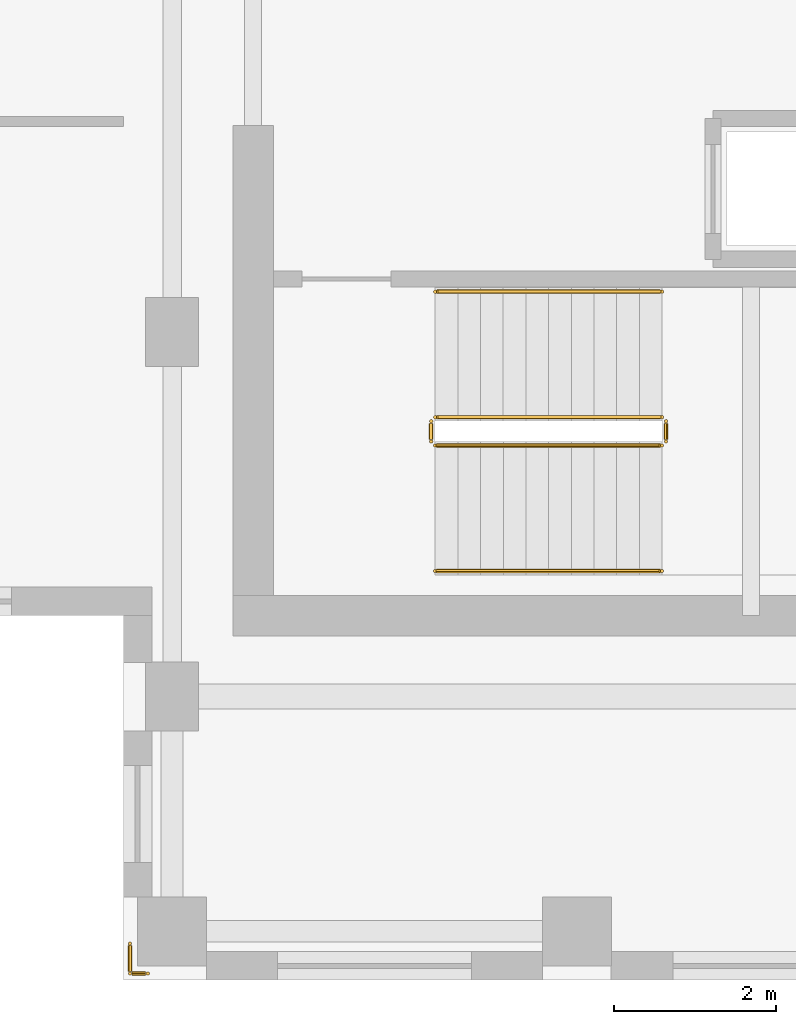
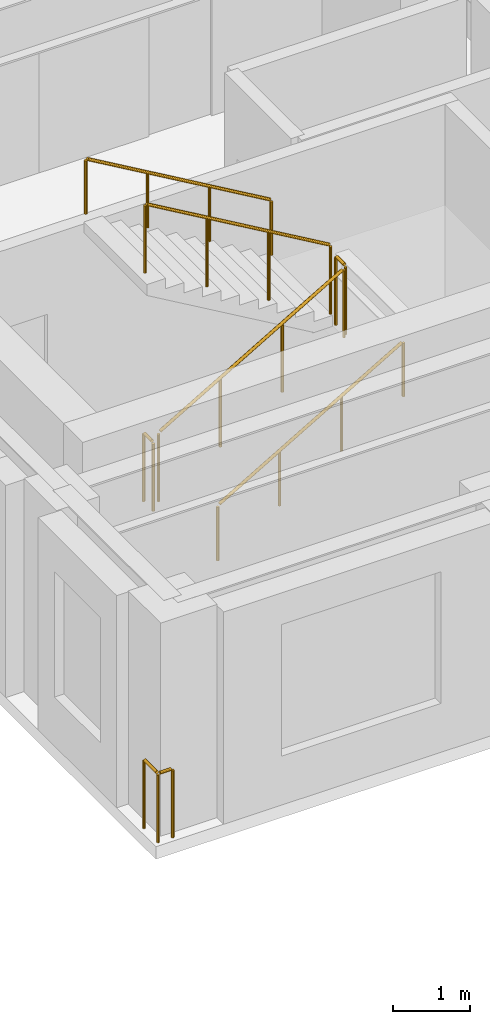
# One storey, part 10 of 10: 7 railings.
"""IFC4 building model written with IfcOpenShell, lengths in metres."""

from ifc_helpers import new_model, si_unit, direction, frame, origin, origin_2d, place, context, subcontext, project, spatial, circle, extrude, source, transform, mapped, material, layer, layer_set, type_object, element, save


model = new_model("IFC4")

# Units and contexts
model_context = context("Model", 3, precision=1e-05, world=origin(), true_north=direction((0.0, 1.0)))
body_context = subcontext(model_context, "Body", "Model", "MODEL_VIEW")
ifc_project = project(units=[si_unit("LENGTHUNIT", "METRE"), si_unit("AREAUNIT", "SQUARE_METRE"), si_unit("VOLUMEUNIT", "CUBIC_METRE"), si_unit("PLANEANGLEUNIT", "RADIAN"), si_unit("MASSUNIT", "GRAM", prefix="KILO")], contexts=[model_context])

# Site, building, storey
site_placement = place(None, origin())
site = spatial("IfcSite", under=ifc_project, at=site_placement, CompositionType="ELEMENT")
building_placement = place(site_placement, origin())
building = spatial("IfcBuilding", under=site, at=building_placement, Name="Kharzan Plaza Tower", CompositionType="ELEMENT")
storey_placement = place(building_placement, frame((0.0, 0.0, 216.0)))
storey = spatial("IfcBuildingStorey", under=building, at=storey_placement, Name="L58", CompositionType="ELEMENT", Elevation=216.0)

# Railings
ifc_material_1 = material(Name="Painted Galvanized Architectural Steel", Category="steel")
ifc_layer_1 = layer(ifc_material_1, 0.074951171875)
ifc_layer_set_1 = layer_set([ifc_layer_1], Name="Painted Galvanized Architectural Steel")
railing_type_1 = type_object("IfcRailingType", Name="RL-GUARD-1120", PredefinedType="BALUSTRADE", material=ifc_layer_set_1)
shared_shape_1 = source(origin(), body_context, "Body", "SweptSolid", [
    extrude(circle(Radius=0.02392578125, at=origin_2d()), frame((0.0, 0.0263671875, 1.09619140625), z_axis=(0.0, 1.0, 0.0), x_axis=(-1.0, 0.0, 0.0)), (0.0, 0.0, 1.0), 0.197021484375),
    extrude(circle(Radius=0.02099609375, at=origin_2d()), origin(), (0.0, 0.0, 1.0), 1.072021484375),
    extrude(circle(Radius=0.02099609375, at=origin_2d()), frame((0.0, 0.25, 0.0)), (0.0, 0.0, 1.0), 1.072021484375),
])
for number, where, name in (
    (1, (41.10009765625, 6.64990234375, 1.800048828125), "L58 ST-3 stair guard 2"),
    (2, (38.199951171875, 6.64990234375, 0.0), "L58 ST-3 stair guard 4"),
):
    element("IfcRailing", number, at=place(storey_placement, frame(where)), inside=storey, type_object=railing_type_1, Name=name, PredefinedType="BALUSTRADE", context=body_context, shape_type="MappedRepresentation", body=[
        mapped(shared_shape_1, transform((0.0, 0.0, 0.0), x_axis=(1.0, 0.0, 0.0), y_axis=(0.0, 1.0, 0.0), z_axis=(0.0, 0.0, 1.0))),
    ])
shared_shape_2 = source(origin(), body_context, "Body", "SweptSolid", [
    extrude(circle(Radius=0.02392578125, at=origin_2d()), frame((0.02294921875, 0.0, 1.109375), z_axis=(0.863360870873, 0.0, 0.504586966384), x_axis=(0.0, 1.0, 0.0)), (0.0, 0.0, 1.0), 3.190185546875),
    extrude(circle(Radius=0.02099609375, at=origin_2d()), origin(), (0.0, 0.0, 1.0), 1.072021484375),
    extrude(circle(Radius=0.02099609375, at=origin_2d()), frame((0.933349609375, 0.0, 0.54541015625)), (0.0, 0.0, 1.0), 1.072021484375),
    extrude(circle(Radius=0.02099609375, at=origin_2d()), frame((1.86669921875, 0.0, 1.091064453125)), (0.0, 0.0, 1.0), 1.072021484375),
    extrude(circle(Radius=0.02099609375, at=origin_2d()), frame((2.800048828125, 0.0, 1.636474609375)), (0.0, 0.0, 1.0), 1.072021484375),
])
railing_1_placement = place(storey_placement, frame((38.25, 6.60009765625, 0.16357421875)))
element("IfcRailing", 3, at=railing_1_placement, inside=storey, type_object=railing_type_1, Name="L58 ST-3 stair guard 1", PredefinedType="BALUSTRADE", context=body_context, shape_type="MappedRepresentation", body=[
    mapped(shared_shape_2, transform((0.0, 0.0, 0.0), x_axis=(1.0, 0.0, 0.0), y_axis=(0.0, 1.0, 0.0), z_axis=(0.0, 0.0, 1.0))),
])
shared_shape_3 = source(origin(), body_context, "Body", "SweptSolid", [
    extrude(circle(Radius=0.02392578125, at=origin_2d()), frame((-0.02294921875, 0.0, 1.109375), z_axis=(-0.863360870873, 0.0, 0.504586966384), x_axis=(0.0, -1.0, 0.0)), (0.0, 0.0, 1.0), 3.190185546875),
    extrude(circle(Radius=0.02099609375, at=origin_2d()), origin(), (0.0, 0.0, 1.0), 1.072021484375),
    extrude(circle(Radius=0.02099609375, at=origin_2d()), frame((-0.933349609375, 0.0, 0.54541015625)), (0.0, 0.0, 1.0), 1.072021484375),
    extrude(circle(Radius=0.02099609375, at=origin_2d()), frame((-1.86669921875, 0.0, 1.091064453125)), (0.0, 0.0, 1.0), 1.072021484375),
    extrude(circle(Radius=0.02099609375, at=origin_2d()), frame((-2.800048828125, 0.0, 1.636474609375)), (0.0, 0.0, 1.0), 1.072021484375),
])
railing_2_placement = place(storey_placement, frame((41.050048828125, 6.949951171875, 1.963623046875)))
element("IfcRailing", 4, at=railing_2_placement, inside=storey, type_object=railing_type_1, Name="L58 ST-3 stair guard 3", PredefinedType="BALUSTRADE", context=body_context, shape_type="MappedRepresentation", body=[
    mapped(shared_shape_3, transform((0.0, 0.0, 0.0), x_axis=(1.0, 0.0, 0.0), y_axis=(0.0, 1.0, 0.0), z_axis=(0.0, 0.0, 1.0))),
])
ifc_material_2 = material(Name="Brushed Stainless Steel", Category="steel")
ifc_layer_2 = layer(ifc_material_2, 0.050048828125)
ifc_layer_set_2 = layer_set([ifc_layer_2], Name="Brushed Stainless Steel")
railing_type_2 = type_object("IfcRailingType", Name="RL-STAIR-HR920", PredefinedType="HANDRAIL", material=ifc_layer_set_2)
shared_shape_4 = source(origin(), body_context, "Body", "SweptSolid", [
    extrude(circle(Radius=0.02392578125, at=origin_2d()), frame((0.02294921875, 0.0, 0.88916015625), z_axis=(0.863360870873, 0.0, 0.504586966384), x_axis=(0.0, 1.0, 0.0)), (0.0, 0.0, 1.0), 3.190185546875),
    extrude(circle(Radius=0.02099609375, at=origin_2d()), origin(), (0.0, 0.0, 1.0), 0.851806640625),
    extrude(circle(Radius=0.02099609375, at=origin_2d()), frame((0.933349609375, 0.0, 0.54541015625)), (0.0, 0.0, 1.0), 0.851806640625),
    extrude(circle(Radius=0.02099609375, at=origin_2d()), frame((1.86669921875, 0.0, 1.091064453125)), (0.0, 0.0, 1.0), 0.851806640625),
    extrude(circle(Radius=0.02099609375, at=origin_2d()), frame((2.800048828125, 0.0, 1.636474609375)), (0.0, 0.0, 1.0), 0.851806640625),
])
railing_3_placement = place(storey_placement, frame((38.25, 5.050048828125, 0.16357421875)))
element("IfcRailing", 5, at=railing_3_placement, inside=storey, type_object=railing_type_2, Name="L58 ST-3 stair handrail 1", PredefinedType="HANDRAIL", context=body_context, shape_type="MappedRepresentation", body=[
    mapped(shared_shape_4, transform((0.0, 0.0, 0.0), x_axis=(1.0, 0.0, 0.0), y_axis=(0.0, 1.0, 0.0), z_axis=(0.0, 0.0, 1.0))),
])
shared_shape_5 = source(origin(), body_context, "Body", "SweptSolid", [
    extrude(circle(Radius=0.02392578125, at=origin_2d()), frame((-0.02294921875, 0.0, 0.88916015625), z_axis=(-0.863360870873, 0.0, 0.504586966384), x_axis=(0.0, -1.0, 0.0)), (0.0, 0.0, 1.0), 3.190185546875),
    extrude(circle(Radius=0.02099609375, at=origin_2d()), origin(), (0.0, 0.0, 1.0), 0.851806640625),
    extrude(circle(Radius=0.02099609375, at=origin_2d()), frame((-0.933349609375, 0.0, 0.54541015625)), (0.0, 0.0, 1.0), 0.851806640625),
    extrude(circle(Radius=0.02099609375, at=origin_2d()), frame((-1.86669921875, 0.0, 1.091064453125)), (0.0, 0.0, 1.0), 0.851806640625),
    extrude(circle(Radius=0.02099609375, at=origin_2d()), frame((-2.800048828125, 0.0, 1.636474609375)), (0.0, 0.0, 1.0), 0.851806640625),
])
railing_4_placement = place(storey_placement, frame((41.050048828125, 8.5, 1.963623046875)))
element("IfcRailing", 6, at=railing_4_placement, inside=storey, type_object=railing_type_2, Name="L58 ST-3 stair handrail 2", PredefinedType="HANDRAIL", context=body_context, shape_type="MappedRepresentation", body=[
    mapped(shared_shape_5, transform((0.0, 0.0, 0.0), x_axis=(1.0, 0.0, 0.0), y_axis=(0.0, 1.0, 0.0), z_axis=(0.0, 0.0, 1.0))),
])
shared_shape_6 = source(origin(), body_context, "Body", "SweptSolid", [
    extrude(circle(Radius=0.02392578125, at=origin_2d()), frame((-0.0263671875, 0.0, 1.09619140625), z_axis=(-1.0, 0.0, 0.0), x_axis=(0.0, -1.0, 0.0)), (0.0, 0.0, 1.0), 0.1669921875),
    extrude(circle(Radius=0.02392578125, at=origin_2d()), frame((-0.219970703125, 0.0263671875, 1.09619140625), z_axis=(0.0, 1.0, 0.0), x_axis=(-1.0, 0.0, 0.0)), (0.0, 0.0, 1.0), 0.31689453125),
    extrude(circle(Radius=0.02099609375, at=origin_2d()), origin(), (0.0, 0.0, 1.0), 1.072021484375),
    extrude(circle(Radius=0.02099609375, at=origin_2d()), frame((-0.219970703125, 0.0, 0.0)), (0.0, 0.0, 1.0), 1.072021484375),
    extrude(circle(Radius=0.02099609375, at=origin_2d()), frame((-0.219970703125, 0.369873046875, 0.0)), (0.0, 0.0, 1.0), 1.072021484375),
])
railing_5_placement = place(storey_placement, frame((34.699951171875, 0.080078125, 0.0)))
element("IfcRailing", 7, at=railing_5_placement, inside=storey, type_object=railing_type_1, Name="L58 South-West Wing B Slot Corner Safety Guard", PredefinedType="BALUSTRADE", context=body_context, shape_type="MappedRepresentation", body=[
    mapped(shared_shape_6, transform((0.0, 0.0, 0.0), x_axis=(1.0, 0.0, 0.0), y_axis=(0.0, 1.0, 0.0), z_axis=(0.0, 0.0, 1.0))),
])

save(model, "model.ifc")
